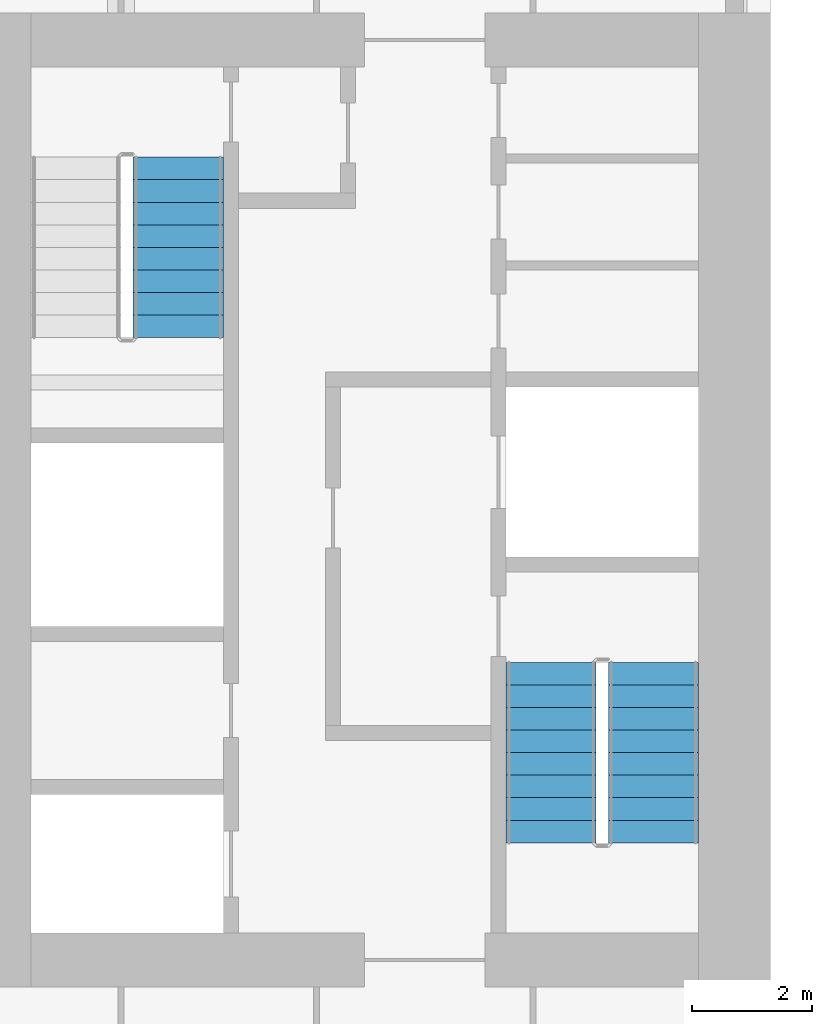
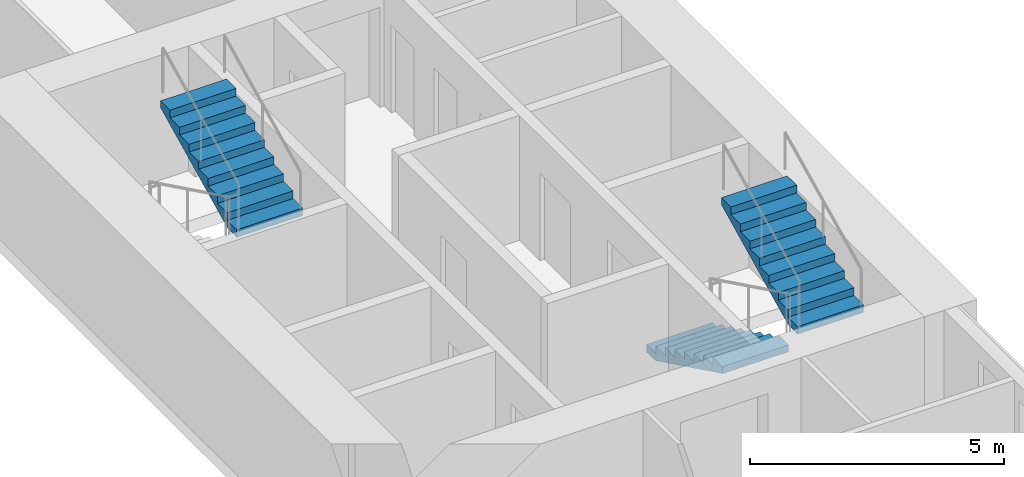
# One storey, part 11 of 14: 3 stair flights, 2 elements without a shape of their own.
"""IFC4 building model written with IfcOpenShell, lengths in metres."""

from ifc_helpers import new_model, si_unit, direction, frame, origin, place, context, subcontext, project, spatial, polyline, outline, extrude, material, type_object, element, aggregate, save


model = new_model("IFC4")

# Units and contexts
model_context = context("Model", 3, precision=1e-05, world=origin(), true_north=direction((0.0, 1.0)))
body_context = subcontext(model_context, "Body", "Model", "MODEL_VIEW")
ifc_project = project(units=[si_unit("LENGTHUNIT", "METRE"), si_unit("AREAUNIT", "SQUARE_METRE"), si_unit("VOLUMEUNIT", "CUBIC_METRE"), si_unit("PLANEANGLEUNIT", "RADIAN"), si_unit("MASSUNIT", "GRAM", prefix="KILO")], contexts=[model_context])

# Site, building, storey
site_placement = place(None, origin())
site = spatial("IfcSite", under=ifc_project, at=site_placement, CompositionType="ELEMENT")
building_placement = place(site_placement, origin())
building = spatial("IfcBuilding", under=site, at=building_placement, Name="Tabaq Tower and Sports Hall", CompositionType="ELEMENT")
storey_placement = place(building_placement, frame((0.0, 0.0, 226.89990234375)))
storey = spatial("IfcBuildingStorey", under=building, at=storey_placement, Name="L57", CompositionType="ELEMENT", Elevation=226.89990234375)

# Stair, stair flights
ifc_material_1 = material(Name="Concrete C40/50", Category="concrete")
stair_type = type_object("IfcStairType", Name="Exit stair", PredefinedType="HALF_TURN_STAIR", material=ifc_material_1)
stair_1_placement = place(storey_placement, origin())
stair_1 = element("IfcStair", 1, at=stair_1_placement, inside=storey, type_object=stair_type, Name="L57 Exit stair ST3", PredefinedType="HALF_TURN_STAIR")
ifc_material_2 = material(Name="Concrete C40/50", Category="concrete")
stair_flight_type = type_object("IfcStairFlightType", Name="Exit stair flight", PredefinedType="STRAIGHT", material=ifc_material_2)
stair_flight_1_placement = place(storey_placement, frame((39.550048828125, 21.60009765625, 0.0), z_axis=(0.0, 0.0, 1.0), x_axis=(0.0, -1.0, 0.0)))
stair_flight_1 = element("IfcStairFlight", 2, at=stair_flight_1_placement, type_object=stair_flight_type, Name="ST3 flight 1", NumberOfRisers=9, NumberOfTreads=8, PredefinedType="STRAIGHT", RiserHeight=0.183333333, TreadLength=0.375, context=body_context, shape_type="SweptSolid", body=[
    extrude(outline(polyline([(0.0, 0.0), (0.0, 0.183349609375), (0.375, 0.183349609375), (0.375, 0.36669921875), (0.75, 0.36669921875), (0.75, 0.550048828125), (1.125, 0.550048828125), (1.125, 0.7333984375), (1.5, 0.7333984375), (1.5, 0.916748046875), (1.875, 0.916748046875), (1.875, 1.10009765625), (2.25, 1.10009765625), (2.25, 1.283447265625), (2.625, 1.283447265625), (2.625, 1.466552734375), (3.0, 1.466552734375), (3.0, 1.64990234375), (3.0, 1.2998046875), (0.34130859375, 0.0), (0.0, 0.0)])), frame((0.0, 0.75, 0.0), z_axis=(0.0, -1.0, 0.0), x_axis=(1.0, 0.0, 0.0)), (0.0, 0.0, 1.0), 1.5),
])
stair_flight_2_placement = place(storey_placement, frame((41.25, 18.60009765625, 1.650146484375), z_axis=(0.0, 0.0, 1.0), x_axis=(0.0, 1.0, 0.0)))
stair_flight_2 = element("IfcStairFlight", 3, at=stair_flight_2_placement, type_object=stair_flight_type, Name="ST3 flight 2", NumberOfRisers=9, NumberOfTreads=8, PredefinedType="STRAIGHT", RiserHeight=0.183333333, TreadLength=0.375, context=body_context, shape_type="SweptSolid", body=[
    extrude(outline(polyline([(0.0, 0.0), (0.0, 0.183349609375), (0.375, 0.183349609375), (0.375, 0.36669921875), (0.75, 0.36669921875), (0.75, 0.550048828125), (1.125, 0.550048828125), (1.125, 0.7333984375), (1.5, 0.7333984375), (1.5, 0.916748046875), (1.875, 0.916748046875), (1.875, 1.10009765625), (2.25, 1.10009765625), (2.25, 1.283447265625), (2.625, 1.283447265625), (2.625, 1.466552734375), (3.0, 1.466552734375), (3.0, 1.64990234375), (3.0, 1.2998046875), (0.34130859375, 0.0), (0.0, 0.0)])), frame((0.0, 0.75, 0.0), z_axis=(0.0, -1.0, 0.0), x_axis=(1.0, 0.0, 0.0)), (0.0, 0.0, 1.0), 1.5),
])
aggregate(stair_1, [stair_flight_1, stair_flight_2])

# Stair, stair flight
stair_2_placement = place(storey_placement, origin())
stair_2 = element("IfcStair", 4, at=stair_2_placement, inside=storey, type_object=stair_type, Name="L57 Exit stair ST4", PredefinedType="HALF_TURN_STAIR")
stair_flight_3_placement = place(storey_placement, frame((33.35009765625, 27.0, 1.650146484375), z_axis=(0.0, 0.0, 1.0), x_axis=(0.0, 1.0, 0.0)))
stair_flight_3 = element("IfcStairFlight", 5, at=stair_flight_3_placement, type_object=stair_flight_type, Name="ST4 flight 2", NumberOfRisers=9, NumberOfTreads=8, PredefinedType="STRAIGHT", RiserHeight=0.183333333, TreadLength=0.375, context=body_context, shape_type="SweptSolid", body=[
    extrude(outline(polyline([(0.0, 0.0), (0.0, 0.183349609375), (0.375, 0.183349609375), (0.375, 0.36669921875), (0.75, 0.36669921875), (0.75, 0.550048828125), (1.125, 0.550048828125), (1.125, 0.7333984375), (1.5, 0.7333984375), (1.5, 0.916748046875), (1.875, 0.916748046875), (1.875, 1.10009765625), (2.25, 1.10009765625), (2.25, 1.283447265625), (2.625, 1.283447265625), (2.625, 1.466552734375), (3.0, 1.466552734375), (3.0, 1.64990234375), (3.0, 1.2998046875), (0.34130859375, 0.0), (0.0, 0.0)])), frame((0.0, 0.75, 0.0), z_axis=(0.0, -1.0, 0.0), x_axis=(1.0, 0.0, 0.0)), (0.0, 0.0, 1.0), 1.5),
])
aggregate(stair_2, [stair_flight_3])

save(model, "model.ifc")
